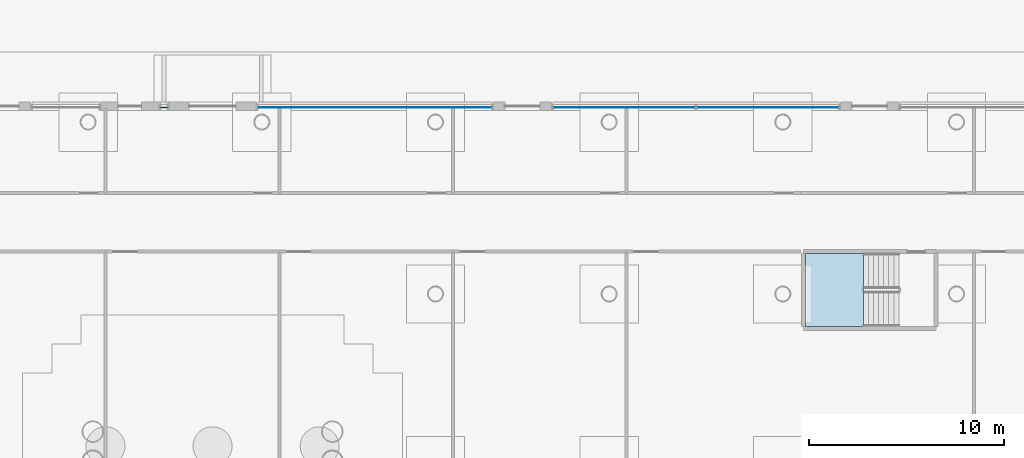
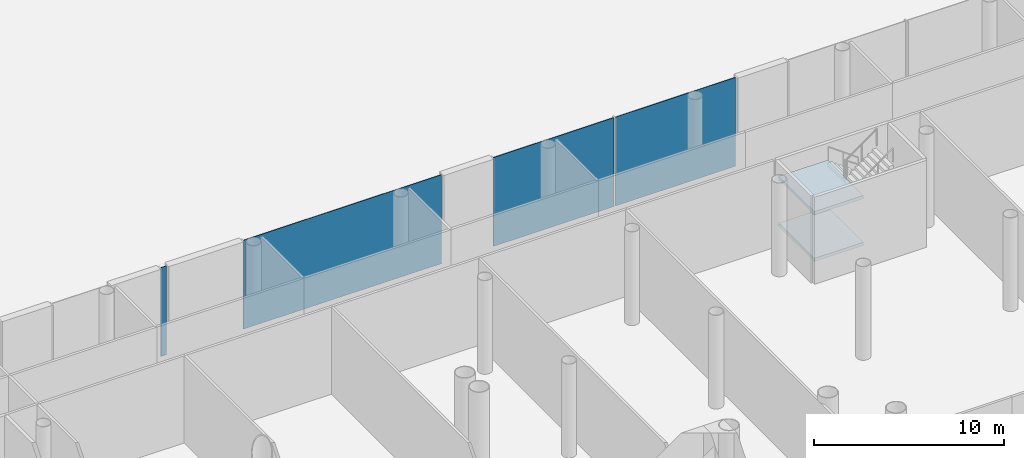
# One storey, part 24 of 75: 4 plates, 2 slabs, 4 elements without a shape of their own.
"""IFC4 building model written with IfcOpenShell, lengths in metres."""

from ifc_helpers import new_model, si_unit, direction, frame, origin, origin_2d, place, context, subcontext, project, spatial, polyline, rectangle, outline, extrude, material, layer, layer_set, type_object, element, aggregate, save


model = new_model("IFC4")

# Units and contexts
model_context = context("Model", 3, precision=1e-05, world=origin(), true_north=direction((0.0, 1.0)))
body_context = subcontext(model_context, "Body", "Model", "MODEL_VIEW")
ifc_project = project(units=[si_unit("LENGTHUNIT", "METRE"), si_unit("AREAUNIT", "SQUARE_METRE"), si_unit("VOLUMEUNIT", "CUBIC_METRE"), si_unit("PLANEANGLEUNIT", "RADIAN"), si_unit("MASSUNIT", "GRAM", prefix="KILO")], contexts=[model_context])

# Site, building, storey
site_placement = place(None, origin())
site = spatial("IfcSite", under=ifc_project, at=site_placement, CompositionType="ELEMENT")
building_placement = place(site_placement, origin())
building = spatial("IfcBuilding", under=site, at=building_placement, Name="Ipe Terrace Towers", CompositionType="ELEMENT")
storey_placement = place(building_placement, origin())
storey = spatial("IfcBuildingStorey", under=building, at=storey_placement, Name="L00", CompositionType="ELEMENT", Elevation=0.0)

# Stair, slabs
ifc_material_1 = material(Name="Concrete C30/37", Category="concrete")
stair_type = type_object("IfcStairType", Name="Protected exit stair", PredefinedType="HALF_TURN_STAIR", material=ifc_material_1)
stair_placement = place(storey_placement, origin())
stair = element("IfcStair", 1, at=stair_placement, inside=storey, type_object=stair_type, Name="L00 Podium exit stair PS2", PredefinedType="HALF_TURN_STAIR")
ifc_material_2 = material(Name="Concrete C30/37", Category="concrete")
ifc_layer_1 = layer(ifc_material_2, 0.199951171875)
ifc_layer_set_1 = layer_set([ifc_layer_1], Name="Exit stair landing 200")
slab_type = type_object("IfcSlabType", Name="Exit stair landing 200", PredefinedType="LANDING", material=ifc_layer_set_1)
slab_1_placement = place(storey_placement, frame((0.0, 0.0, 1.300048828125)))
slab_1 = element("IfcSlab", 2, at=slab_1_placement, type_object=slab_type, Name="PS2 landing 1", PredefinedType="LANDING", context=body_context, shape_type="SweptSolid", body=[
    extrude(outline(polyline([(-2.570068359375, 26.39990234375), (-5.550048828125, 26.39990234375), (-5.550048828125, 22.64990234375), (-2.570068359375, 22.64990234375), (-2.570068359375, 26.39990234375)])), origin(), (0.0, 0.0, 1.0), 0.199951171875),
])
slab_2_placement = place(storey_placement, frame((0.0, 0.0, 4.300048828125)))
slab_2 = element("IfcSlab", 3, at=slab_2_placement, type_object=slab_type, Name="PS2 landing 3", PredefinedType="LANDING", context=body_context, shape_type="SweptSolid", body=[
    extrude(outline(polyline([(-2.570068359375, 26.39990234375), (-5.550048828125, 26.39990234375), (-5.550048828125, 22.64990234375), (-2.570068359375, 22.64990234375), (-2.570068359375, 26.39990234375)])), origin(), (0.0, 0.0, 1.0), 0.199951171875),
])
aggregate(stair, [slab_1, slab_2])

# Curtain wall, plates
ifc_material_3 = material(Name="Aluminium alloy 6063-T6", Category="aluminium")
ifc_layer_2 = layer(ifc_material_3, 0.43994140625)
ifc_layer_set_2 = layer_set([ifc_layer_2], Name="PODIUM GLAZING CURTAIN WALL")
curtain_wall_type = type_object("IfcCurtainWallType", Name="PODIUM GLAZING CURTAIN WALL", PredefinedType="NOTDEFINED", material=ifc_layer_set_2)
curtain_wall_1_placement = place(storey_placement, origin())
curtain_wall_1 = element("IfcCurtainWall", 4, at=curtain_wall_1_placement, inside=storey, type_object=curtain_wall_type, Name="POD-CW-L00-01q curtain wall", PredefinedType="NOTDEFINED")
ifc_material_4 = material(Name="Glass, clear laminated", Category="glass")
ifc_layer_3 = layer(ifc_material_4, 0.035888671875)
ifc_layer_set_3 = layer_set([ifc_layer_3], Name="PODIUM GLAZING GLASS PANEL 36")
plate_type = type_object("IfcPlateType", Name="PODIUM GLAZING GLASS PANEL 36", PredefinedType="CURTAIN_PANEL", material=ifc_layer_set_3)
plate_1_placement = place(storey_placement, frame((-7.47998046875, 33.89990234375, 0.0), z_axis=(0.0, 0.0, 1.0), x_axis=(-1.0, 0.0, 0.0)))
plate_1 = element("IfcPlate", 5, at=plate_1_placement, type_object=plate_type, Name="POD-CW-L00-01q panel 1", PredefinedType="CURTAIN_PANEL", context=body_context, shape_type="SweptSolid", body=[
    extrude(rectangle(XDim=7.300048828125, YDim=0.035888671875, at=origin_2d()), origin(), (0.0, 0.0, 1.0), 5.699951171875),
])
plate_2_placement = place(storey_placement, frame((-14.860107421875, 33.89990234375, 0.0), z_axis=(0.0, 0.0, 1.0), x_axis=(-1.0, 0.0, 0.0)))
plate_2 = element("IfcPlate", 6, at=plate_2_placement, type_object=plate_type, Name="POD-CW-L00-01q panel 2", PredefinedType="CURTAIN_PANEL", context=body_context, shape_type="SweptSolid", body=[
    extrude(rectangle(XDim=7.300048828125, YDim=0.035888671875, at=origin_2d()), origin(), (0.0, 0.0, 1.0), 5.699951171875),
])
aggregate(curtain_wall_1, [plate_1, plate_2])

# Curtain wall, plate
curtain_wall_2_placement = place(storey_placement, origin())
curtain_wall_2 = element("IfcCurtainWall", 7, at=curtain_wall_2_placement, inside=storey, type_object=curtain_wall_type, Name="POD-CW-L00-01s curtain wall", PredefinedType="NOTDEFINED")
plate_3_placement = place(storey_placement, frame((-27.669921875, 33.89990234375, 0.0), z_axis=(0.0, 0.0, 1.0), x_axis=(-1.0, 0.0, 0.0)))
plate_3 = element("IfcPlate", 8, at=plate_3_placement, type_object=plate_type, Name="POD-CW-L00-01s panel 1", PredefinedType="CURTAIN_PANEL", context=body_context, shape_type="SweptSolid", body=[
    extrude(rectangle(XDim=12.0, YDim=0.035888671875, at=origin_2d()), origin(), (0.0, 0.0, 1.0), 5.699951171875),
])
aggregate(curtain_wall_2, [plate_3])

curtain_wall_3_placement = place(storey_placement, origin())
curtain_wall_3 = element("IfcCurtainWall", 9, at=curtain_wall_3_placement, inside=storey, type_object=curtain_wall_type, Name="POD-CW-L00-01u curtain wall", PredefinedType="NOTDEFINED")
plate_4_placement = place(storey_placement, frame((-38.5, 33.89990234375, 0.0), z_axis=(0.0, 0.0, 1.0), x_axis=(-1.0, 0.0, 0.0)))
plate_4 = element("IfcPlate", 10, at=plate_4_placement, type_object=plate_type, Name="POD-CW-L00-01u panel 1", PredefinedType="CURTAIN_PANEL", context=body_context, shape_type="SweptSolid", body=[
    extrude(rectangle(XDim=0.340087890625, YDim=0.035888671875, at=origin_2d()), origin(), (0.0, 0.0, 1.0), 5.699951171875),
])
aggregate(curtain_wall_3, [plate_4])

save(model, "model.ifc")
